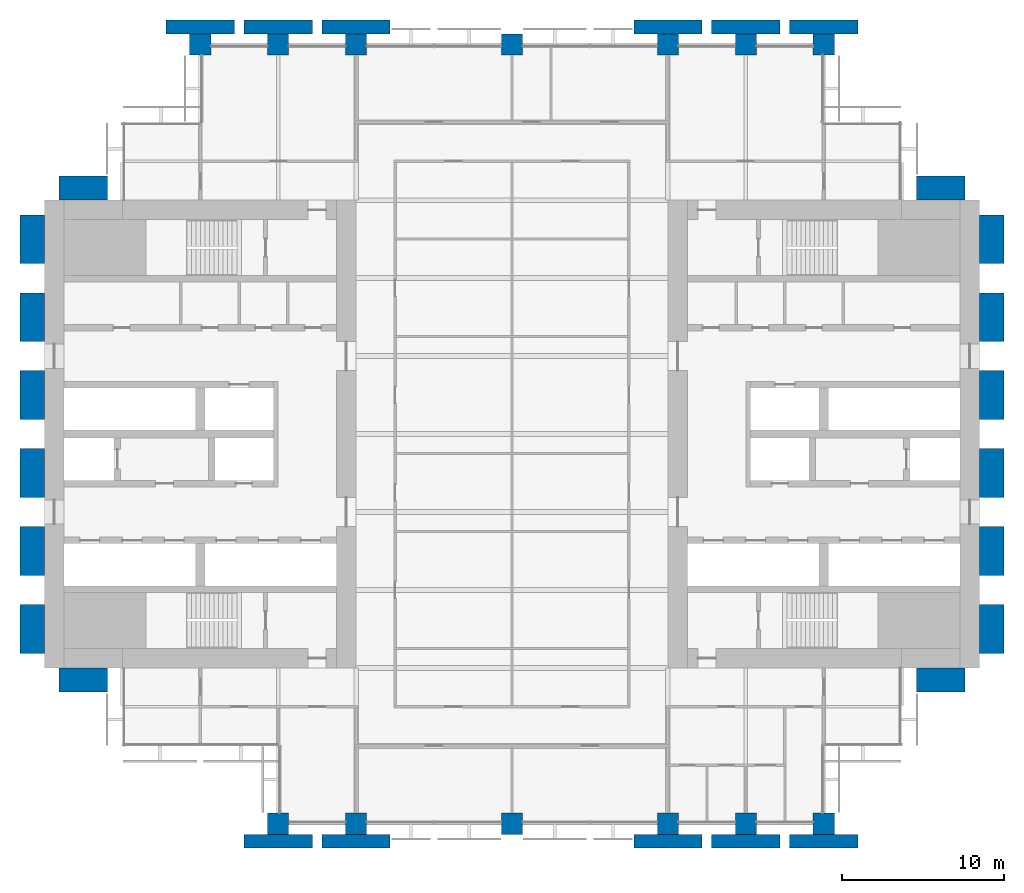
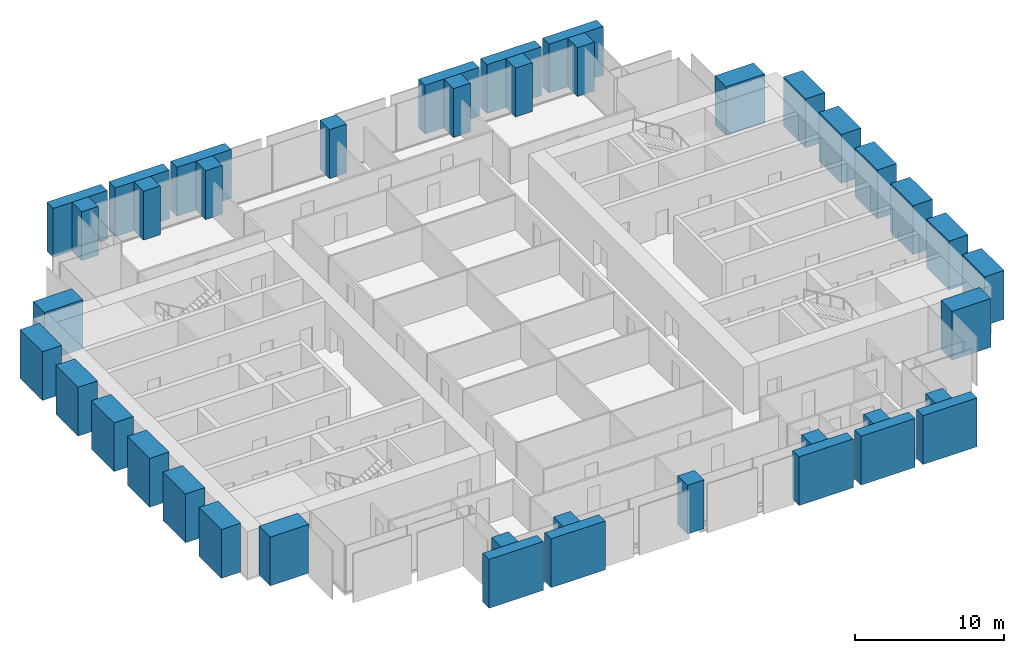
# One storey, part 1 of 14: 40 columns.
"""IFC4 building model written with IfcOpenShell, lengths in metres."""

from ifc_helpers import new_model, si_unit, direction, frame, origin, origin_2d, place, context, subcontext, project, spatial, rectangle, extrude, material, material_profile, profile_set, type_object, element, save


model = new_model("IFC4")

# Units and contexts
model_context = context("Model", 3, precision=1e-05, world=origin(), true_north=direction((0.0, 1.0)))
body_context = subcontext(model_context, "Body", "Model", "MODEL_VIEW")
ifc_project = project(units=[si_unit("LENGTHUNIT", "METRE"), si_unit("AREAUNIT", "SQUARE_METRE"), si_unit("VOLUMEUNIT", "CUBIC_METRE"), si_unit("PLANEANGLEUNIT", "RADIAN"), si_unit("MASSUNIT", "GRAM", prefix="KILO")], contexts=[model_context])

# Site, building, storey
site_placement = place(None, origin())
site = spatial("IfcSite", under=ifc_project, at=site_placement, CompositionType="ELEMENT")
building_placement = place(site_placement, origin())
building = spatial("IfcBuilding", under=site, at=building_placement, Name="Baori Bourse Tower", CompositionType="ELEMENT")
storey_placement = place(building_placement, frame((0.0, 0.0, 55.0)))
storey = spatial("IfcBuildingStorey", under=building, at=storey_placement, Name="L11", CompositionType="ELEMENT", Elevation=55.0)

# Columns
ifc_material_1 = material(Name="Concrete f'c 60 MPa", Category="concrete")
ifc_material_profile_1 = material_profile(ifc_material_1, rectangle(XDim=4.199951171875, YDim=0.85009765625, at=origin_2d()), Name="RC 4200x850")
ifc_profile_set_1 = profile_set([ifc_material_profile_1], Name="Concrete f'c 60 MPa")
column_type_1 = type_object("IfcColumnType", Name="FN3 Brick pilaster 4200x850", PredefinedType="PILASTER", material=ifc_profile_set_1)
for number, where, z_axis, x_axis, name in (
    (1, (14.39990234375, -1.074951171875, 0.0), (0.0, 0.0, 1.0), (1.0, 0.0, 0.0), "Brick pilaster L11 17"),
    (2, (19.199951171875, -1.074951171875, 0.0), (0.0, 0.0, 1.0), (1.0, 0.0, 0.0), "Brick pilaster L11 18"),
    (3, (38.39990234375, -1.074951171875, 0.0), (0.0, 0.0, 1.0), (1.0, 0.0, 0.0), "Brick pilaster L11 19"),
    (4, (43.199951171875, -1.074951171875, 0.0), (0.0, 0.0, 1.0), (1.0, 0.0, 0.0), "Brick pilaster L11 20"),
    (5, (48.0, -1.074951171875, 0.0), (0.0, 0.0, 1.0), (1.0, 0.0, 0.0), "Brick pilaster L11 21"),
    (6, (9.60009765625, 49.074951171875, 0.0), (0.0, 0.0, 1.0), (1.0, 0.0, 0.0), "Brick pilaster L11 22"),
    (7, (14.39990234375, 49.074951171875, 0.0), (0.0, 0.0, 1.0), (1.0, 0.0, 0.0), "Brick pilaster L11 23"),
    (8, (19.199951171875, 49.074951171875, 0.0), (0.0, 0.0, 1.0), (1.0, 0.0, 0.0), "Brick pilaster L11 24"),
    (9, (38.39990234375, 49.074951171875, 0.0), (0.0, 0.0, 1.0), (1.0, 0.0, 0.0), "Brick pilaster L11 25"),
    (10, (43.199951171875, 49.074951171875, 0.0), (0.0, 0.0, 1.0), (1.0, 0.0, 0.0), "Brick pilaster L11 26"),
    (11, (48.0, 49.074951171875, 0.0), (0.0, 0.0, 1.0), (1.0, 0.0, 0.0), "Brick pilaster L11 27"),
):
    element("IfcColumn", number, at=place(storey_placement, frame(where, z_axis=z_axis, x_axis=x_axis)), inside=storey, type_object=column_type_1, Name=name, PredefinedType="PILASTER", context=body_context, shape_type="SweptSolid", body=[
        extrude(rectangle(XDim=4.199951171875, YDim=0.85009765625, at=origin_2d()), origin(), (0.0, 0.0, 1.0), 4.0),
    ])
ifc_material_2 = material(Name="Concrete f'c 60 MPa", Category="concrete")
ifc_material_profile_2 = material_profile(ifc_material_2, rectangle(XDim=3.0, YDim=1.5, at=origin_2d()), Name="RC 3000x1500")
ifc_profile_set_2 = profile_set([ifc_material_profile_2], Name="Concrete f'c 60 MPa")
column_type_2 = type_object("IfcColumnType", Name="FN4 Brick flank pilaster 3000x1500", PredefinedType="PILASTER", material=ifc_profile_set_2)
for number, where, z_axis, x_axis, name in (
    (12, (55.199951171875, 8.85009765625, 0.0), (0.0, 0.0, 1.0), (1.0, 0.0, 0.0), "Brick pilaster L11 1"),
    (13, (58.35009765625, 12.0, 0.0), (0.0, 0.0, 1.0), (0.0, 1.0, 0.0), "Brick pilaster L11 2"),
    (14, (58.35009765625, 16.800048828125, 0.0), (0.0, 0.0, 1.0), (0.0, 1.0, 0.0), "Brick pilaster L11 3"),
    (15, (58.35009765625, 21.60009765625, 0.0), (0.0, 0.0, 1.0), (0.0, 1.0, 0.0), "Brick pilaster L11 4"),
    (16, (58.35009765625, 26.39990234375, 0.0), (0.0, 0.0, 1.0), (0.0, 1.0, 0.0), "Brick pilaster L11 5"),
    (17, (58.35009765625, 31.199951171875, 0.0), (0.0, 0.0, 1.0), (0.0, 1.0, 0.0), "Brick pilaster L11 6"),
    (18, (58.35009765625, 36.0, 0.0), (0.0, 0.0, 1.0), (0.0, 1.0, 0.0), "Brick pilaster L11 7"),
    (19, (55.199951171875, 39.14990234375, 0.0), (0.0, 0.0, 1.0), (1.0, 0.0, 0.0), "Brick pilaster L11 8"),
    (20, (2.39990234375, 39.14990234375, 0.0), (0.0, 0.0, 1.0), (1.0, 0.0, 0.0), "Brick pilaster L11 9"),
    (21, (-0.75, 12.0, 0.0), (0.0, 0.0, 1.0), (0.0, 1.0, 0.0), "Brick pilaster L11 10"),
    (22, (-0.75, 16.800048828125, 0.0), (0.0, 0.0, 1.0), (0.0, 1.0, 0.0), "Brick pilaster L11 11"),
    (23, (-0.75, 21.60009765625, 0.0), (0.0, 0.0, 1.0), (0.0, 1.0, 0.0), "Brick pilaster L11 12"),
    (24, (-0.75, 26.39990234375, 0.0), (0.0, 0.0, 1.0), (0.0, 1.0, 0.0), "Brick pilaster L11 13"),
    (25, (-0.75, 31.199951171875, 0.0), (0.0, 0.0, 1.0), (0.0, 1.0, 0.0), "Brick pilaster L11 14"),
    (26, (-0.75, 36.0, 0.0), (0.0, 0.0, 1.0), (0.0, 1.0, 0.0), "Brick pilaster L11 15"),
    (27, (2.39990234375, 8.85009765625, 0.0), (0.0, 0.0, 1.0), (1.0, 0.0, 0.0), "Brick pilaster L11 16"),
):
    element("IfcColumn", number, at=place(storey_placement, frame(where, z_axis=z_axis, x_axis=x_axis)), inside=storey, type_object=column_type_2, Name=name, PredefinedType="PILASTER", context=body_context, shape_type="SweptSolid", body=[
        extrude(rectangle(XDim=3.0, YDim=1.5, at=origin_2d()), origin(), (0.0, 0.0, 1.0), 4.0),
    ])
ifc_material_3 = material(Name="Concrete f'c 70 MPa", Category="concrete")
ifc_material_profile_3 = material_profile(ifc_material_3, rectangle(XDim=1.300048828125, YDim=1.300048828125, at=origin_2d()), Name="RC 1300x1300")
ifc_profile_set_3 = profile_set([ifc_material_profile_3], Name="Concrete f'c 70 MPa")
column_type_3 = type_object("IfcColumnType", Name="Perimeter column RC 1300x1300", PredefinedType="COLUMN", material=ifc_profile_set_3)
for number, where, z_axis, x_axis, name in (
    (28, (14.39990234375, 0.0, 0.0), (0.0, 0.0, 1.0), (1.0, 0.0, 0.0), "Perimeter column L11"),
    (29, (19.199951171875, 0.0, 0.0), (0.0, 0.0, 1.0), (1.0, 0.0, 0.0), "Perimeter column L11"),
    (30, (28.800048828125, 0.0, 0.0), (0.0, 0.0, 1.0), (1.0, 0.0, 0.0), "Perimeter column L11"),
    (31, (38.39990234375, 0.0, 0.0), (0.0, 0.0, 1.0), (1.0, 0.0, 0.0), "Perimeter column L11"),
    (32, (43.199951171875, 0.0, 0.0), (0.0, 0.0, 1.0), (1.0, 0.0, 0.0), "Perimeter column L11"),
    (33, (48.0, 0.0, 0.0), (0.0, 0.0, 1.0), (1.0, 0.0, 0.0), "Perimeter column L11"),
    (34, (9.60009765625, 48.0, 0.0), (0.0, 0.0, 1.0), (1.0, 0.0, 0.0), "Perimeter column L11"),
    (35, (14.39990234375, 48.0, 0.0), (0.0, 0.0, 1.0), (1.0, 0.0, 0.0), "Perimeter column L11"),
    (36, (19.199951171875, 48.0, 0.0), (0.0, 0.0, 1.0), (1.0, 0.0, 0.0), "Perimeter column L11"),
    (37, (28.800048828125, 48.0, 0.0), (0.0, 0.0, 1.0), (1.0, 0.0, 0.0), "Perimeter column L11"),
    (38, (38.39990234375, 48.0, 0.0), (0.0, 0.0, 1.0), (1.0, 0.0, 0.0), "Perimeter column L11"),
    (39, (43.199951171875, 48.0, 0.0), (0.0, 0.0, 1.0), (1.0, 0.0, 0.0), "Perimeter column L11"),
    (40, (48.0, 48.0, 0.0), (0.0, 0.0, 1.0), (1.0, 0.0, 0.0), "Perimeter column L11"),
):
    element("IfcColumn", number, at=place(storey_placement, frame(where, z_axis=z_axis, x_axis=x_axis)), inside=storey, type_object=column_type_3, Name=name, PredefinedType="COLUMN", context=body_context, shape_type="SweptSolid", body=[
        extrude(rectangle(XDim=1.300048828125, YDim=1.300048828125, at=origin_2d()), origin(), (0.0, 0.0, 1.0), 4.0),
    ])

save(model, "model.ifc")
